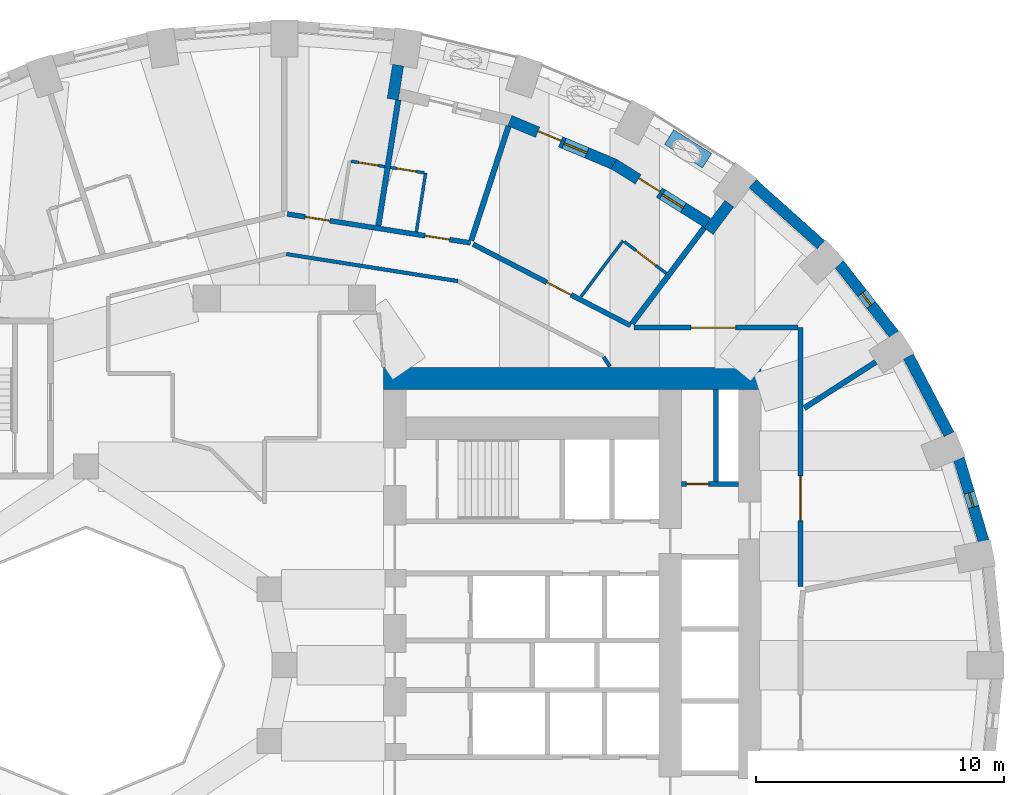
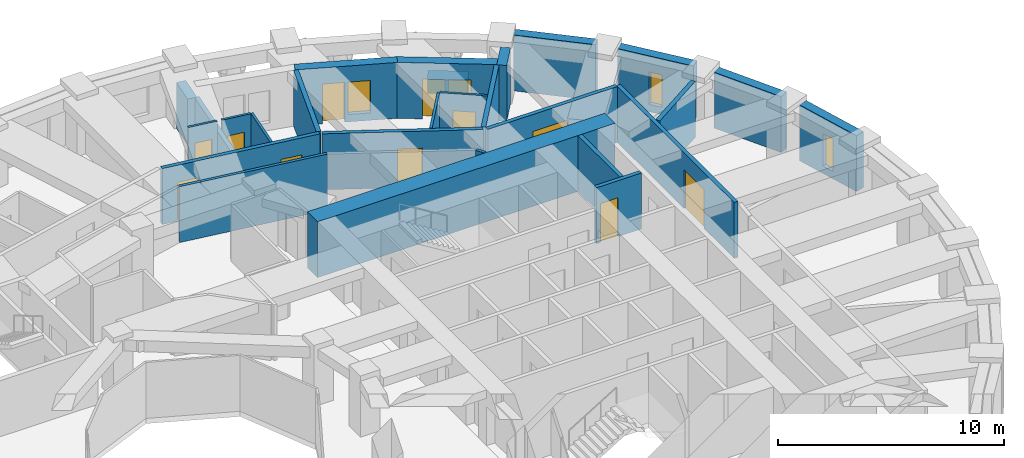
# One storey, part 9 of 13: 27 walls, 11 doors, 4 windows, 15 openings.
"""IFC4 building model written with IfcOpenShell, lengths in metres."""

from ifc_helpers import new_model, si_unit, direction, frame, frame_2d, origin, place, context, subcontext, project, spatial, rectangle, extrude, material, layer, layer_set, constituent, constituent_set, type_object, element, fill, save


model = new_model("IFC4")

# Units and contexts
model_context = context("Model", 3, precision=1e-05, world=origin(), true_north=direction((0.0, 1.0)))
body_context = subcontext(model_context, "Body", "Model", "MODEL_VIEW")
ifc_project = project(units=[si_unit("LENGTHUNIT", "METRE"), si_unit("AREAUNIT", "SQUARE_METRE"), si_unit("VOLUMEUNIT", "CUBIC_METRE"), si_unit("PLANEANGLEUNIT", "RADIAN"), si_unit("MASSUNIT", "GRAM", prefix="KILO")], contexts=[model_context])

# Site, building, storey
site_placement = place(None, origin())
site = spatial("IfcSite", under=ifc_project, at=site_placement, CompositionType="ELEMENT")
building_placement = place(site_placement, origin())
building = spatial("IfcBuilding", under=site, at=building_placement, Name="Taillehof Tower", CompositionType="ELEMENT")
storey_placement = place(building_placement, frame((0.0, 0.0, 61.300048828125)))
storey = spatial("IfcBuildingStorey", under=building, at=storey_placement, Name="L16", CompositionType="ELEMENT", Elevation=61.300048828125)

# Wall, opening, window
ifc_material_1 = material(Name="Brick masonry", Category="masonry")
ifc_layer_1 = layer(ifc_material_1, 0.449951171875)
ifc_layer_set_1 = layer_set([ifc_layer_1], Name="Brick infill wall 450")
wall_type_1 = type_object("IfcWallType", Name="Brick infill wall 450", PredefinedType="SOLIDWALL", material=ifc_layer_set_1)
wall_1_placement = place(storey_placement, frame((28.181884765625, 4.995849609375, 0.0), z_axis=(0.0, 0.0, 1.0), x_axis=(-0.287064133733, 0.957911364963, 0.0)))
wall_1 = element("IfcWall", 1, at=wall_1_placement, inside=storey, type_object=wall_type_1, Name="Brick wall L16 bay 2", PredefinedType="SOLIDWALL", context=body_context, shape_type="SweptSolid", body=[
    extrude(rectangle(XDim=3.473388671875, YDim=0.449951171875, at=frame_2d((1.73681640625, 0.0))), origin(), (0.0, 0.0, 1.0), 3.02001953125),
])
opening_1_placement = place(wall_1_placement, frame((1.436767578125, 0.0, 0.39990234375)))
opening_1 = element("IfcOpeningElement", 2, at=opening_1_placement, cuts=wall_1, Name="Opening W6", PredefinedType="OPENING", context=body_context, shape_type="SweptSolid", body=[
    extrude(rectangle(XDim=0.60009765625, YDim=1.75, at=frame_2d((0.300048828125, 0.875))), frame((0.0, 0.23486328125, 0.0), z_axis=(0.0, -1.0, 0.0), x_axis=(1.0, 0.0, 0.0)), (0.0, 0.0, 1.0), 0.469970703125),
])
ifc_material_2 = material(Name="Aluminium window frame with clear double glazing", Category="aluminium")
window_type_1 = type_object("IfcWindowType", Name="Slot window 600x1750", PartitioningType="SINGLE_PANEL", PredefinedType="WINDOW", material=ifc_material_2)
window_1_placement = place(opening_1_placement, origin())
window_1 = element("IfcWindow", 3, at=window_1_placement, inside=storey, type_object=window_type_1, Name="W6", OverallHeight=1.75, OverallWidth=0.60009765625, PartitioningType="SINGLE_PANEL", PredefinedType="WINDOW", context=body_context, shape_type="SweptSolid", body=[
    extrude(rectangle(XDim=0.60009765625, YDim=1.75, at=frame_2d((0.300048828125, 0.875))), frame((0.0, 0.034912109375, 0.0), z_axis=(0.0, -1.0, 0.0), x_axis=(1.0, 0.0, 0.0)), (0.0, 0.0, 1.0), 0.06005859375),
])
fill(opening_1, window_1)

# Wall
wall_2_placement = place(storey_placement, frame((26.78564453125, 9.30517578125, 0.0), z_axis=(0.0, 0.0, 1.0), x_axis=(-0.462492775226, 0.886623050041, 0.0)))
element("IfcWall", 4, at=wall_2_placement, inside=storey, type_object=wall_type_1, Name="Brick wall L16 bay 3", PredefinedType="SOLIDWALL", context=body_context, shape_type="SweptSolid", body=[
    extrude(rectangle(XDim=3.531982421875, YDim=0.449951171875, at=frame_2d((1.76611328125, 0.0))), origin(), (0.0, 0.0, 1.0), 3.02001953125),
])

# Wall, opening, window
wall_3_placement = place(storey_placement, frame((24.57763671875, 13.327880859375, 0.0), z_axis=(0.0, 0.0, 1.0), x_axis=(-0.616661975264, 0.787228053529, 0.0)))
wall_3 = element("IfcWall", 5, at=wall_3_placement, inside=storey, type_object=wall_type_1, Name="Brick wall L16 bay 4", PredefinedType="SOLIDWALL", context=body_context, shape_type="SweptSolid", body=[
    extrude(rectangle(XDim=3.60986328125, YDim=0.449951171875, at=frame_2d((1.804931640625, 0.0))), origin(), (0.0, 0.0, 1.0), 3.02001953125),
])
opening_2_placement = place(wall_3_placement, frame((1.5048828125, 0.0, 0.39990234375)))
opening_2 = element("IfcOpeningElement", 6, at=opening_2_placement, cuts=wall_3, Name="Opening W6", PredefinedType="OPENING", context=body_context, shape_type="SweptSolid", body=[
    extrude(rectangle(XDim=0.60009765625, YDim=1.75, at=frame_2d((0.300048828125, 0.875))), frame((0.0, 0.23486328125, 0.0), z_axis=(0.0, -1.0, 0.0), x_axis=(1.0, 0.0, 0.0)), (0.0, 0.0, 1.0), 0.469970703125),
])
window_2_placement = place(opening_2_placement, origin())
window_2 = element("IfcWindow", 7, at=window_2_placement, inside=storey, type_object=window_type_1, Name="W6", OverallHeight=1.75, OverallWidth=0.60009765625, PartitioningType="SINGLE_PANEL", PredefinedType="WINDOW", context=body_context, shape_type="SweptSolid", body=[
    extrude(rectangle(XDim=0.60009765625, YDim=1.75, at=frame_2d((0.300048828125, 0.875))), frame((0.0, 0.034912109375, 0.0), z_axis=(0.0, -1.0, 0.0), x_axis=(1.0, 0.0, 0.0)), (0.0, 0.0, 1.0), 0.06005859375),
])
fill(opening_2, window_2)

# Walls
wall_4_placement = place(storey_placement, frame((21.626708984375, 16.943115234375, 0.0), z_axis=(0.0, 0.0, 1.0), x_axis=(-0.745526233716, 0.66647628228, 0.0)))
element("IfcWall", 8, at=wall_4_placement, inside=storey, type_object=wall_type_1, Name="Brick wall L16 bay 5", PredefinedType="SOLIDWALL", context=body_context, shape_type="SweptSolid", body=[
    extrude(rectangle(XDim=3.69677734375, YDim=0.449951171875, at=frame_2d((1.848388671875, 0.0))), origin(), (0.0, 0.0, 1.0), 3.02001953125),
])
wall_5_placement = place(storey_placement, frame((17.931640625, 18.60009765625, 0.0), z_axis=(0.0, 0.0, 1.0), x_axis=(-0.601262851241, -0.799051302306, 0.0)))
element("IfcWall", 9, at=wall_5_placement, inside=storey, type_object=wall_type_1, Name="Brick reveal L16 pocket 1", PredefinedType="SOLIDWALL", context=body_context, shape_type="SweptSolid", body=[
    extrude(rectangle(XDim=1.39111328125, YDim=0.449951171875, at=frame_2d((0.695556640625, 0.0))), origin(), (0.0, 0.0, 1.0), 3.02001953125),
])
wall_6_placement = place(storey_placement, frame((4.58251953125, 24.178466796875, 0.0), z_axis=(0.0, 0.0, 1.0), x_axis=(-0.156133927791, -0.98773589415, 0.0)))
element("IfcWall", 10, at=wall_6_placement, inside=storey, type_object=wall_type_1, Name="Brick reveal L16 pocket 1", PredefinedType="SOLIDWALL", context=body_context, shape_type="SweptSolid", body=[
    extrude(rectangle(XDim=1.39013671875, YDim=0.449951171875, at=frame_2d((0.695068359375, 0.0))), origin(), (0.0, 0.0, 1.0), 2.469970703125),
])

# Wall, openings, door, window
wall_7_placement = place(storey_placement, frame((17.062255859375, 17.81884765625, 0.0), z_axis=(0.0, 0.0, 1.0), x_axis=(-0.846990101364, 0.531608660757, 0.0)))
wall_7 = element("IfcWall", 11, at=wall_7_placement, inside=storey, type_object=wall_type_1, Name="Brick wall L16 pocket bay 6", PredefinedType="SOLIDWALL", context=body_context, shape_type="SweptSolid", body=[
    extrude(rectangle(XDim=4.468994140625, YDim=0.449951171875, at=frame_2d((2.234375, 0.0))), origin(), (0.0, 0.0, 1.0), 3.02001953125),
])
opening_3_placement = place(wall_7_placement, frame((1.159423828125, 0.0, 0.39990234375)))
opening_3 = element("IfcOpeningElement", 12, at=opening_3_placement, cuts=wall_7, Name="Opening W5", PredefinedType="OPENING", context=body_context, shape_type="SweptSolid", body=[
    extrude(rectangle(XDim=1.0, YDim=1.75, at=frame_2d((0.5, 0.875))), frame((0.0, 0.23486328125, 0.0), z_axis=(0.0, -1.0, 0.0), x_axis=(1.0, 0.0, 0.0)), (0.0, 0.0, 1.0), 0.469970703125),
])
opening_4_placement = place(wall_7_placement, frame((2.3095703125, 0.0, 0.0)))
opening_4 = element("IfcOpeningElement", 13, at=opening_4_placement, cuts=wall_7, Name="Opening D1694", PredefinedType="OPENING", context=body_context, shape_type="SweptSolid", body=[
    extrude(rectangle(XDim=1.0, YDim=2.14990234375, at=frame_2d((0.5, 1.074951171875))), frame((0.0, 0.23486328125, 0.0), z_axis=(0.0, -1.0, 0.0), x_axis=(1.0, 0.0, 0.0)), (0.0, 0.0, 1.0), 0.469970703125),
])
ifc_material_3 = material(Name="Aluminium door frame with clear double glazing", Category="aluminium")
door_type_1 = type_object("IfcDoorType", Name="Balcony door 1000x2150", OperationType="SINGLE_SWING_RIGHT", PredefinedType="DOOR", material=ifc_material_3)
door_1_placement = place(opening_4_placement, frame((1.0, 0.0, 0.0), z_axis=(0.0, 0.0, 1.0), x_axis=(-1.0, 0.0, 0.0)))
door_1 = element("IfcDoor", 14, at=door_1_placement, inside=storey, type_object=door_type_1, Name="Balcony door L16 bay 6", OperationType="SINGLE_SWING_RIGHT", OverallHeight=2.14990234375, OverallWidth=1.0, PredefinedType="DOOR", context=body_context, shape_type="SweptSolid", body=[
    extrude(rectangle(XDim=1.0, YDim=2.14990234375, at=frame_2d((0.5, 1.074951171875))), frame((0.0, 0.0751953125, 0.0), z_axis=(0.0, -1.0, 0.0), x_axis=(1.0, 0.0, 0.0)), (0.0, 0.0, 1.0), 0.050048828125),
])
fill(opening_4, door_1)
ifc_material_4 = material(Name="Aluminium window frame with clear double glazing", Category="aluminium")
window_type_2 = type_object("IfcWindowType", Name="Fixed window 1000x1750", PartitioningType="SINGLE_PANEL", PredefinedType="WINDOW", material=ifc_material_4)
window_3_placement = place(opening_3_placement, origin())
window_3 = element("IfcWindow", 15, at=window_3_placement, inside=storey, type_object=window_type_2, Name="W5", OverallHeight=1.75, OverallWidth=1.0, PartitioningType="SINGLE_PANEL", PredefinedType="WINDOW", context=body_context, shape_type="SweptSolid", body=[
    extrude(rectangle(XDim=1.0, YDim=1.75, at=frame_2d((0.5, 0.875))), frame((0.0, 0.034912109375, 0.0), z_axis=(0.0, -1.0, 0.0), x_axis=(1.0, 0.0, 0.0)), (0.0, 0.0, 1.0), 0.06005859375),
])
fill(opening_3, window_3)

wall_8_placement = place(storey_placement, frame((13.31005859375, 20.177734375, 0.0), z_axis=(0.0, 0.0, 1.0), x_axis=(-0.922634412489, 0.385675693935, 0.0)))
wall_8 = element("IfcWall", 16, at=wall_8_placement, inside=storey, type_object=wall_type_1, Name="Brick wall L16 pocket bay 7", PredefinedType="SOLIDWALL", context=body_context, shape_type="SweptSolid", body=[
    extrude(rectangle(XDim=4.57666015625, YDim=0.449951171875, at=frame_2d((2.288330078125, 0.0))), origin(), (0.0, 0.0, 1.0), 3.02001953125),
])
opening_5_placement = place(wall_8_placement, frame((1.21337890625, 0.0, 0.39990234375)))
opening_5 = element("IfcOpeningElement", 17, at=opening_5_placement, cuts=wall_8, Name="Opening W5", PredefinedType="OPENING", context=body_context, shape_type="SweptSolid", body=[
    extrude(rectangle(XDim=1.0, YDim=1.75, at=frame_2d((0.5, 0.875))), frame((0.0, 0.23486328125, 0.0), z_axis=(0.0, -1.0, 0.0), x_axis=(1.0, 0.0, 0.0)), (0.0, 0.0, 1.0), 0.469970703125),
])
opening_6_placement = place(wall_8_placement, frame((2.36328125, 0.0, 0.0)))
opening_6 = element("IfcOpeningElement", 18, at=opening_6_placement, cuts=wall_8, Name="Opening D1695", PredefinedType="OPENING", context=body_context, shape_type="SweptSolid", body=[
    extrude(rectangle(XDim=1.0, YDim=2.14990234375, at=frame_2d((0.5, 1.074951171875))), frame((0.0, 0.23486328125, 0.0), z_axis=(0.0, -1.0, 0.0), x_axis=(1.0, 0.0, 0.0)), (0.0, 0.0, 1.0), 0.469970703125),
])
door_2_placement = place(opening_6_placement, frame((1.0, 0.0, 0.0), z_axis=(0.0, 0.0, 1.0), x_axis=(-1.0, 0.0, 0.0)))
door_2 = element("IfcDoor", 19, at=door_2_placement, inside=storey, type_object=door_type_1, Name="Balcony door L16 bay 7", OperationType="SINGLE_SWING_LEFT", OverallHeight=2.14990234375, OverallWidth=1.0, PredefinedType="DOOR", context=body_context, shape_type="SweptSolid", body=[
    extrude(rectangle(XDim=1.0, YDim=2.14990234375, at=frame_2d((0.5, 1.074951171875))), frame((0.0, 0.0751953125, 0.0), z_axis=(0.0, -1.0, 0.0), x_axis=(1.0, 0.0, 0.0)), (0.0, 0.0, 1.0), 0.050048828125),
])
fill(opening_6, door_2)
window_4_placement = place(opening_5_placement, origin())
window_4 = element("IfcWindow", 20, at=window_4_placement, inside=storey, type_object=window_type_2, Name="W5", OverallHeight=1.75, OverallWidth=1.0, PartitioningType="SINGLE_PANEL", PredefinedType="WINDOW", context=body_context, shape_type="SweptSolid", body=[
    extrude(rectangle(XDim=1.0, YDim=1.75, at=frame_2d((0.5, 0.875))), frame((0.0, 0.034912109375, 0.0), z_axis=(0.0, -1.0, 0.0), x_axis=(1.0, 0.0, 0.0)), (0.0, 0.0, 1.0), 0.06005859375),
])
fill(opening_5, window_4)

# Wall, opening, door
ifc_material_5 = material(Name="Calcium silicate masonry", Category="masonry")
ifc_layer_2 = layer(ifc_material_5, 0.199951171875)
ifc_layer_set_2 = layer_set([ifc_layer_2], Name="Compartment wall calcium silicate 200")
wall_type_2 = type_object("IfcWallType", Name="Compartment wall calcium silicate 200", PredefinedType="PARTITIONING", material=ifc_layer_set_2)
wall_9_placement = place(storey_placement, frame((16.0, 7.300048828125, 0.0), z_axis=(0.0, 0.0, 1.0), x_axis=(1.0, 0.0, 0.0)))
wall_9 = element("IfcWall", 21, at=wall_9_placement, inside=storey, type_object=wall_type_2, Name="Compartment wall FW", PredefinedType="PARTITIONING", context=body_context, shape_type="SweptSolid", body=[
    extrude(rectangle(XDim=2.300048828125, YDim=0.199951171875, at=frame_2d((1.14990234375, 0.0))), origin(), (0.0, 0.0, 1.0), 3.02001953125),
])
opening_7_placement = place(wall_9_placement, frame((0.199951171875, 0.0, 0.0)))
opening_7 = element("IfcOpeningElement", 22, at=opening_7_placement, cuts=wall_9, Name="Opening D1616", PredefinedType="OPENING", context=body_context, shape_type="SweptSolid", body=[
    extrude(rectangle(XDim=0.89990234375, YDim=2.10009765625, at=frame_2d((0.449951171875, 1.050048828125))), frame((0.0, 0.10986328125, 0.0), z_axis=(0.0, -1.0, 0.0), x_axis=(1.0, 0.0, 0.0)), (0.0, 0.0, 1.0), 0.219970703125),
])
ifc_material_6 = material(Name="Steel-faced fire door", Category="steel")
door_type_2 = type_object("IfcDoorType", Name="Riser and service room door 900x2100", OperationType="SINGLE_SWING_LEFT", PredefinedType="DOOR", material=ifc_material_6)
door_3_placement = place(opening_7_placement, origin())
door_3 = element("IfcDoor", 23, at=door_3_placement, inside=storey, type_object=door_type_2, Name="Door Bms Room", OperationType="SINGLE_SWING_RIGHT", OverallHeight=2.10009765625, OverallWidth=0.89990234375, PredefinedType="DOOR", context=body_context, shape_type="SweptSolid", body=[
    extrude(rectangle(XDim=0.89990234375, YDim=2.10009765625, at=frame_2d((0.449951171875, 1.050048828125))), frame((0.0, 0.02490234375, 0.0), z_axis=(0.0, -1.0, 0.0), x_axis=(1.0, 0.0, 0.0)), (0.0, 0.0, 1.0), 0.050048828125),
])
fill(opening_7, door_3)

# Wall
wall_10_placement = place(storey_placement, frame((17.39990234375, 7.39990234375, 0.0), z_axis=(0.0, 0.0, 1.0), x_axis=(0.0, 1.0, 0.0)))
element("IfcWall", 24, at=wall_10_placement, inside=storey, type_object=wall_type_2, Name="Compartment wall FW", PredefinedType="PARTITIONING", context=body_context, shape_type="SweptSolid", body=[
    extrude(rectangle(XDim=3.7001953125, YDim=0.199951171875, at=frame_2d((1.85009765625, 0.0))), origin(), (0.0, 0.0, 1.0), 3.02001953125),
])

# Wall, opening, door
ifc_material_7 = material(Name="Gypsum board on steel studs, two layers each side", Category="steel")
ifc_layer_3 = layer(ifc_material_7, 0.199951171875)
ifc_layer_set_3 = layer_set([ifc_layer_3], Name="Compartment wall corridor 200")
wall_type_3 = type_object("IfcWallType", Name="Compartment wall corridor 200", PredefinedType="PARTITIONING", material=ifc_layer_set_3)
wall_11_placement = place(storey_placement, frame((20.800048828125, 13.60009765625, 0.0), z_axis=(0.0, 0.0, 1.0), x_axis=(0.0, -1.0, 0.0)))
wall_11 = element("IfcWall", 25, at=wall_11_placement, inside=storey, type_object=wall_type_3, Name="Compartment wall", PredefinedType="PARTITIONING", context=body_context, shape_type="SweptSolid", body=[
    extrude(rectangle(XDim=10.427734375, YDim=0.199951171875, at=frame_2d((5.2138671875, 0.0))), origin(), (0.0, 0.0, 1.0), 3.02001953125),
])
opening_8_placement = place(wall_11_placement, frame((5.9755859375, 0.0, 0.0)))
opening_8 = element("IfcOpeningElement", 26, at=opening_8_placement, cuts=wall_11, Name="Opening D1677", PredefinedType="OPENING", context=body_context, shape_type="SweptSolid", body=[
    extrude(rectangle(XDim=1.800048828125, YDim=2.10009765625, at=frame_2d((0.89990234375, 1.050048828125))), frame((0.0, 0.10986328125, 0.0), z_axis=(0.0, -1.0, 0.0), x_axis=(1.0, 0.0, 0.0)), (0.0, 0.0, 1.0), 0.219970703125),
])
ifc_material_8 = material(Name="Timber door leaf in steel frame", Category="steel")
door_type_3 = type_object("IfcDoorType", Name="Lounge and meeting room double door EI 30 1800 x 2100", OperationType="SINGLE_SWING_LEFT", PredefinedType="DOOR", material=ifc_material_8)
door_4_placement = place(opening_8_placement, origin())
door_4 = element("IfcDoor", 27, at=door_4_placement, inside=storey, type_object=door_type_3, Name="D1677", OperationType="DOUBLE_DOOR_SINGLE_SWING", OverallHeight=2.10009765625, OverallWidth=1.800048828125, PredefinedType="DOOR", context=body_context, shape_type="SweptSolid", body=[
    extrude(rectangle(XDim=1.800048828125, YDim=2.10009765625, at=frame_2d((0.89990234375, 1.050048828125))), frame((0.0, 0.02490234375, 0.0), z_axis=(0.0, -1.0, 0.0), x_axis=(1.0, 0.0, 0.0)), (0.0, 0.0, 1.0), 0.050048828125),
])
fill(opening_8, door_4)

# Wall, openings, doors
wall_12_placement = place(storey_placement, frame((0.11865234375, 18.180908203125, 0.0), z_axis=(0.0, 0.0, 1.0), x_axis=(0.987788122462, -0.155803161464, 0.0)))
wall_12 = element("IfcWall", 28, at=wall_12_placement, inside=storey, type_object=wall_type_3, Name="Compartment wall", PredefinedType="PARTITIONING", context=body_context, shape_type="SweptSolid", body=[
    extrude(rectangle(XDim=7.471435546875, YDim=0.199951171875, at=frame_2d((3.73583984375, 0.0))), origin(), (0.0, 0.0, 1.0), 3.02001953125),
])
opening_9_placement = place(wall_12_placement, frame((5.61865234375, 0.0, 0.0)))
opening_9 = element("IfcOpeningElement", 29, at=opening_9_placement, cuts=wall_12, Name="Opening D1642", PredefinedType="OPENING", context=body_context, shape_type="SweptSolid", body=[
    extrude(rectangle(XDim=1.0, YDim=2.10009765625, at=frame_2d((0.5, 1.050048828125))), frame((0.0, 0.10986328125, 0.0), z_axis=(0.0, -1.0, 0.0), x_axis=(1.0, 0.0, 0.0)), (0.0, 0.0, 1.0), 0.219970703125),
])
opening_10_placement = place(wall_12_placement, frame((0.731689453125, 0.0, 0.0)))
opening_10 = element("IfcOpeningElement", 30, at=opening_10_placement, cuts=wall_12, Name="Opening D1644", PredefinedType="OPENING", context=body_context, shape_type="SweptSolid", body=[
    extrude(rectangle(XDim=1.0, YDim=2.10009765625, at=frame_2d((0.5, 1.050048828125))), frame((0.0, 0.10986328125, 0.0), z_axis=(0.0, -1.0, 0.0), x_axis=(1.0, 0.0, 0.0)), (0.0, 0.0, 1.0), 0.219970703125),
])
ifc_material_9 = material(Name="Timber door leaf in steel frame", Category="steel")
door_type_4 = type_object("IfcDoorType", Name="Guest room door EI 30 1000 x 2100", OperationType="SINGLE_SWING_LEFT", PredefinedType="DOOR", material=ifc_material_9)
door_5_placement = place(opening_9_placement, origin())
door_5 = element("IfcDoor", 31, at=door_5_placement, inside=storey, type_object=door_type_4, Name="D1642", OperationType="SINGLE_SWING_LEFT", OverallHeight=2.10009765625, OverallWidth=1.0, PredefinedType="DOOR", context=body_context, shape_type="SweptSolid", body=[
    extrude(rectangle(XDim=1.0, YDim=2.10009765625, at=frame_2d((0.5, 1.050048828125))), frame((0.0, 0.02490234375, 0.0), z_axis=(0.0, -1.0, 0.0), x_axis=(1.0, 0.0, 0.0)), (0.0, 0.0, 1.0), 0.050048828125),
])
fill(opening_9, door_5)
door_6_placement = place(opening_10_placement, origin())
door_6 = element("IfcDoor", 32, at=door_6_placement, inside=storey, type_object=door_type_4, Name="D1644", OperationType="SINGLE_SWING_RIGHT", OverallHeight=2.10009765625, OverallWidth=1.0, PredefinedType="DOOR", context=body_context, shape_type="SweptSolid", body=[
    extrude(rectangle(XDim=1.0, YDim=2.10009765625, at=frame_2d((0.5, 1.050048828125))), frame((0.0, 0.02490234375, 0.0), z_axis=(0.0, -1.0, 0.0), x_axis=(1.0, 0.0, 0.0)), (0.0, 0.0, 1.0), 0.050048828125),
])
fill(opening_10, door_6)

# Wall, opening, door
wall_13_placement = place(storey_placement, frame((7.605712890625, 16.961181640625, 0.0), z_axis=(0.0, 0.0, 1.0), x_axis=(0.888519518851, -0.45883882205, 0.0)))
wall_13 = element("IfcWall", 33, at=wall_13_placement, inside=storey, type_object=wall_type_3, Name="Compartment wall", PredefinedType="PARTITIONING", context=body_context, shape_type="SweptSolid", body=[
    extrude(rectangle(XDim=7.14208984375, YDim=0.199951171875, at=frame_2d((3.571044921875, 0.0))), origin(), (0.0, 0.0, 1.0), 3.02001953125),
])
opening_11_placement = place(wall_13_placement, frame((3.342041015625, 0.0, 0.0)))
opening_11 = element("IfcOpeningElement", 34, at=opening_11_placement, cuts=wall_13, Name="Opening D1640", PredefinedType="OPENING", context=body_context, shape_type="SweptSolid", body=[
    extrude(rectangle(XDim=1.10009765625, YDim=2.10009765625, at=frame_2d((0.550048828125, 1.050048828125))), frame((0.0, 0.10986328125, 0.0), z_axis=(0.0, -1.0, 0.0), x_axis=(1.0, 0.0, 0.0)), (0.0, 0.0, 1.0), 0.219970703125),
])
ifc_material_10 = material(Name="Timber door leaf in steel frame", Category="steel")
door_type_5 = type_object("IfcDoorType", Name="Accessible guest room door EI 30 1100 x 2100", OperationType="SINGLE_SWING_LEFT", PredefinedType="DOOR", material=ifc_material_10)
door_7_placement = place(opening_11_placement, origin())
door_7 = element("IfcDoor", 35, at=door_7_placement, inside=storey, type_object=door_type_5, Name="D1640", OperationType="SINGLE_SWING_RIGHT", OverallHeight=2.10009765625, OverallWidth=1.10009765625, PredefinedType="DOOR", context=body_context, shape_type="SweptSolid", body=[
    extrude(rectangle(XDim=1.10009765625, YDim=2.10009765625, at=frame_2d((0.550048828125, 1.050048828125))), frame((0.0, 0.02490234375, 0.0), z_axis=(0.0, -1.0, 0.0), x_axis=(1.0, 0.0, 0.0)), (0.0, 0.0, 1.0), 0.050048828125),
])
fill(opening_11, door_7)

wall_14_placement = place(storey_placement, frame((14.08642578125, 13.60009765625, 0.0), z_axis=(0.0, 0.0, 1.0), x_axis=(1.0, 0.0, 0.0)))
wall_14 = element("IfcWall", 36, at=wall_14_placement, inside=storey, type_object=wall_type_3, Name="Compartment wall", PredefinedType="PARTITIONING", context=body_context, shape_type="SweptSolid", body=[
    extrude(rectangle(XDim=6.613525390625, YDim=0.199951171875, at=frame_2d((3.306640625, 0.0))), origin(), (0.0, 0.0, 1.0), 3.02001953125),
])
opening_12_placement = place(wall_14_placement, frame((2.302734375, 0.0, 0.0)))
opening_12 = element("IfcOpeningElement", 37, at=opening_12_placement, cuts=wall_14, Name="Opening D1678", PredefinedType="OPENING", context=body_context, shape_type="SweptSolid", body=[
    extrude(rectangle(XDim=1.800048828125, YDim=2.10009765625, at=frame_2d((0.89990234375, 1.050048828125))), frame((0.0, 0.10986328125, 0.0), z_axis=(0.0, -1.0, 0.0), x_axis=(1.0, 0.0, 0.0)), (0.0, 0.0, 1.0), 0.219970703125),
])
door_8_placement = place(opening_12_placement, origin())
door_8 = element("IfcDoor", 38, at=door_8_placement, inside=storey, type_object=door_type_3, Name="D1678", OperationType="DOUBLE_DOOR_SINGLE_SWING", OverallHeight=2.10009765625, OverallWidth=1.800048828125, PredefinedType="DOOR", context=body_context, shape_type="SweptSolid", body=[
    extrude(rectangle(XDim=1.800048828125, YDim=2.10009765625, at=frame_2d((0.89990234375, 1.050048828125))), frame((0.0, 0.02490234375, 0.0), z_axis=(0.0, -1.0, 0.0), x_axis=(1.0, 0.0, 0.0)), (0.0, 0.0, 1.0), 0.050048828125),
])
fill(opening_12, door_8)

# Walls
ifc_material_11 = material(Name="Gypsum board on double steel studs with mineral wool", Category="steel")
ifc_layer_4 = layer(ifc_material_11, 0.219970703125)
ifc_layer_set_4 = layer_set([ifc_layer_4], Name="Compartment wall guest room 220")
wall_type_4 = type_object("IfcWallType", Name="Compartment wall guest room 220", PredefinedType="PARTITIONING", material=ifc_layer_set_4)
wall_15_placement = place(storey_placement, frame((23.834716796875, 12.218994140625, 0.0), z_axis=(0.0, 0.0, 1.0), x_axis=(-0.840694872373, -0.541509124176, 0.0)))
element("IfcWall", 39, at=wall_15_placement, inside=storey, type_object=wall_type_4, Name="Compartment wall", PredefinedType="PARTITIONING", context=body_context, shape_type="SweptSolid", body=[
    extrude(rectangle(XDim=3.430419921875, YDim=0.219970703125, at=frame_2d((1.71533203125, 0.0))), origin(), (0.0, 0.0, 1.0), 3.02001953125),
])
wall_16_placement = place(storey_placement, frame((16.926513671875, 17.638427734375, 0.0), z_axis=(0.0, 0.0, 1.0), x_axis=(-0.601159395391, -0.799129139334, 0.0)))
element("IfcWall", 40, at=wall_16_placement, inside=storey, type_object=wall_type_4, Name="Compartment wall", PredefinedType="PARTITIONING", context=body_context, shape_type="SweptSolid", body=[
    extrude(rectangle(XDim=4.84912109375, YDim=0.219970703125, at=frame_2d((2.424560546875, 0.0))), origin(), (0.0, 0.0, 1.0), 3.02001953125),
])
wall_17_placement = place(storey_placement, frame((9.033935546875, 21.72119140625, 0.0), z_axis=(0.0, 0.0, 1.0), x_axis=(-0.310330277344, -0.95062880188, 0.0)))
element("IfcWall", 41, at=wall_17_placement, inside=storey, type_object=wall_type_4, Name="Compartment wall", PredefinedType="PARTITIONING", context=body_context, shape_type="SweptSolid", body=[
    extrude(rectangle(XDim=4.848388671875, YDim=0.219970703125, at=frame_2d((2.42431640625, 0.0))), origin(), (0.0, 0.0, 1.0), 3.02001953125),
])
wall_18_placement = place(storey_placement, frame((4.590576171875, 22.78857421875, 0.0), z_axis=(0.0, 0.0, 1.0), x_axis=(-0.156172011014, -0.987729873486, 0.0)))
element("IfcWall", 42, at=wall_18_placement, inside=storey, type_object=wall_type_4, Name="Compartment wall", PredefinedType="PARTITIONING", context=body_context, shape_type="SweptSolid", body=[
    extrude(rectangle(XDim=5.14794921875, YDim=0.219970703125, at=frame_2d((2.573974609375, 0.0))), origin(), (0.0, 0.0, 1.0), 2.469970703125),
])
ifc_material_12 = material(Name="Gypsum board on steel studs, two layers each side", Category="steel")
ifc_layer_5 = layer(ifc_material_12, 0.14990234375)
ifc_layer_set_5 = layer_set([ifc_layer_5], Name="Compartment wall service room 150")
wall_type_5 = type_object("IfcWallType", Name="Compartment wall service room 150", PredefinedType="PARTITIONING", material=ifc_layer_set_5)
wall_19_placement = place(storey_placement, frame((0.08349609375, 16.56689453125, 0.0), z_axis=(0.0, 0.0, 1.0), x_axis=(0.987781067139, -0.15584788546, 0.0)))
element("IfcWall", 43, at=wall_19_placement, inside=storey, type_object=wall_type_5, Name="Compartment wall", PredefinedType="PARTITIONING", context=body_context, shape_type="SweptSolid", body=[
    extrude(rectangle(XDim=6.99609375, YDim=0.14990234375, at=frame_2d((3.498046875, 0.0))), origin(), (0.0, 0.0, 1.0), 3.02001953125),
])
wall_20_placement = place(storey_placement, frame((12.86376953125, 12.4228515625, 0.0), z_axis=(0.0, 0.0, 1.0), x_axis=(0.545733799108, -0.837958603101, 0.0)))
element("IfcWall", 44, at=wall_20_placement, inside=storey, type_object=wall_type_5, Name="Compartment wall", PredefinedType="PARTITIONING", context=body_context, shape_type="SweptSolid", body=[
    extrude(rectangle(XDim=0.46044921875, YDim=0.14990234375, at=frame_2d((0.230224609375, 0.0))), origin(), (0.0, 0.0, 1.0), 3.02001953125),
])
ifc_material_13 = material(Name="Concrete C80/95", Category="concrete")
ifc_layer_6 = layer(ifc_material_13, 0.89990234375)
ifc_layer_set_6 = layer_set([ifc_layer_6], Name="Core wall C80/95 900")
wall_type_6 = type_object("IfcWallType", Name="Core wall C80/95 900", PredefinedType="SHEAR", material=ifc_layer_set_6)
wall_21_placement = place(storey_placement, frame((4.0, 11.550048828125, 0.0), z_axis=(0.0, 0.0, 1.0), x_axis=(1.0, 0.0, 0.0)))
element("IfcWall", 45, at=wall_21_placement, inside=storey, type_object=wall_type_6, Name="Core wall CW03", PredefinedType="SHEAR", context=body_context, shape_type="SweptSolid", body=[
    extrude(rectangle(XDim=15.199951171875, YDim=0.89990234375, at=frame_2d((7.60009765625, 0.0))), origin(), (0.0, 0.0, 1.0), 3.02001953125),
])
ifc_material_14 = material(Name="Gypsum board on steel studs, moisture resistant", Category="steel")
ifc_layer_7 = layer(ifc_material_14, 0.1201171875)
ifc_layer_set_7 = layer_set([ifc_layer_7], Name="En-suite wall 120")
wall_type_7 = type_object("IfcWallType", Name="En-suite wall 120", PredefinedType="PARTITIONING", material=ifc_layer_set_7)
wall_22_placement = place(storey_placement, frame((11.951904296875, 14.8515625, 0.0), z_axis=(0.0, 0.0, 1.0), x_axis=(0.60115003842, 0.7991361782, 0.0)))
element("IfcWall", 46, at=wall_22_placement, inside=storey, type_object=wall_type_7, Name="En-suite wall", PredefinedType="PARTITIONING", context=body_context, shape_type="SweptSolid", body=[
    extrude(rectangle(XDim=2.817626953125, YDim=0.1201171875, at=frame_2d((1.40869140625, 0.0))), origin(), (0.0, 0.0, 1.0), 3.02001953125),
])
wall_23_placement = place(storey_placement, frame((5.31787109375, 17.462158203125, 0.0), z_axis=(0.0, 0.0, 1.0), x_axis=(0.156077517275, 0.987744809453, 0.0)))
element("IfcWall", 47, at=wall_23_placement, inside=storey, type_object=wall_type_7, Name="En-suite wall", PredefinedType="PARTITIONING", context=body_context, shape_type="SweptSolid", body=[
    extrude(rectangle(XDim=2.3994140625, YDim=0.1201171875, at=frame_2d((1.19970703125, 0.0))), origin(), (0.0, 0.0, 1.0), 3.02001953125),
])

# Wall, opening, door
wall_24_placement = place(storey_placement, frame((13.693603515625, 17.067138671875, 0.0), z_axis=(0.0, 0.0, 1.0), x_axis=(0.799118870394, -0.601173045786, 0.0)))
wall_24 = element("IfcWall", 48, at=wall_24_placement, inside=storey, type_object=wall_type_7, Name="En-suite wall", PredefinedType="PARTITIONING", context=body_context, shape_type="SweptSolid", body=[
    extrude(rectangle(XDim=2.130126953125, YDim=0.1201171875, at=frame_2d((1.06494140625, 0.0))), origin(), (0.0, 0.0, 1.0), 3.02001953125),
])
opening_13_placement = place(wall_24_placement, frame((0.590087890625, 0.0, 0.0)))
opening_13 = element("IfcOpeningElement", 49, at=opening_13_placement, cuts=wall_24, Name="Opening D1641", PredefinedType="OPENING", context=body_context, shape_type="SweptSolid", body=[
    extrude(rectangle(XDim=1.0, YDim=2.10009765625, at=frame_2d((0.5, 1.050048828125))), frame((0.0, 0.070068359375, 0.0), z_axis=(0.0, -1.0, 0.0), x_axis=(1.0, 0.0, 0.0)), (0.0, 0.0, 1.0), 0.14013671875),
])
ifc_material_15 = material(Name="Timber door leaf in steel frame", Category="steel")
door_type_6 = type_object("IfcDoorType", Name="Accessible en-suite door 1000 x 2100", OperationType="SINGLE_SWING_LEFT", PredefinedType="DOOR", material=ifc_material_15)
door_9_placement = place(opening_13_placement, origin())
door_9 = element("IfcDoor", 50, at=door_9_placement, inside=storey, type_object=door_type_6, Name="D1641", OperationType="SINGLE_SWING_RIGHT", OverallHeight=2.10009765625, OverallWidth=1.0, PredefinedType="DOOR", context=body_context, shape_type="SweptSolid", body=[
    extrude(rectangle(XDim=1.0, YDim=2.10009765625, at=frame_2d((0.5, 1.050048828125))), frame((0.0, 0.02490234375, 0.0), z_axis=(0.0, -1.0, 0.0), x_axis=(1.0, 0.0, 0.0)), (0.0, 0.0, 1.0), 0.050048828125),
])
fill(opening_13, door_9)

wall_25_placement = place(storey_placement, frame((5.633056640625, 19.841552734375, 0.0), z_axis=(0.0, 0.0, 1.0), x_axis=(-0.987722767831, 0.156216945011, 0.0)))
wall_25 = element("IfcWall", 51, at=wall_25_placement, inside=storey, type_object=wall_type_7, Name="En-suite wall", PredefinedType="PARTITIONING", context=body_context, shape_type="SweptSolid", body=[
    extrude(rectangle(XDim=1.3798828125, YDim=0.1201171875, at=frame_2d((0.68994140625, 0.0))), origin(), (0.0, 0.0, 1.0), 3.02001953125),
])
opening_14_placement = place(wall_25_placement, frame((0.31494140625, 0.0, 0.0)))
opening_14 = element("IfcOpeningElement", 52, at=opening_14_placement, cuts=wall_25, Name="Opening D1643", PredefinedType="OPENING", context=body_context, shape_type="SweptSolid", body=[
    extrude(rectangle(XDim=0.800048828125, YDim=2.10009765625, at=frame_2d((0.39990234375, 1.050048828125))), frame((0.0, 0.070068359375, 0.0), z_axis=(0.0, -1.0, 0.0), x_axis=(1.0, 0.0, 0.0)), (0.0, 0.0, 1.0), 0.14013671875),
])
ifc_material_16 = material(Name="Timber door leaf in steel frame", Category="steel")
door_type_7 = type_object("IfcDoorType", Name="En-suite door 800 x 2100", OperationType="SINGLE_SWING_LEFT", PredefinedType="DOOR", material=ifc_material_16)
door_10_placement = place(opening_14_placement, origin())
door_10 = element("IfcDoor", 53, at=door_10_placement, inside=storey, type_object=door_type_7, Name="D1643", OperationType="SINGLE_SWING_LEFT", OverallHeight=2.10009765625, OverallWidth=0.800048828125, PredefinedType="DOOR", context=body_context, shape_type="SweptSolid", body=[
    extrude(rectangle(XDim=0.800048828125, YDim=2.10009765625, at=frame_2d((0.39990234375, 1.050048828125))), frame((0.0, 0.02490234375, 0.0), z_axis=(0.0, -1.0, 0.0), x_axis=(1.0, 0.0, 0.0)), (0.0, 0.0, 1.0), 0.050048828125),
])
fill(opening_14, door_10)

wall_26_placement = place(storey_placement, frame((2.689697265625, 20.30712890625, 0.0), z_axis=(0.0, 0.0, 1.0), x_axis=(0.987695455518, -0.156389536571, 0.0)))
wall_26 = element("IfcWall", 54, at=wall_26_placement, inside=storey, type_object=wall_type_7, Name="En-suite wall", PredefinedType="PARTITIONING", context=body_context, shape_type="SweptSolid", body=[
    extrude(rectangle(XDim=1.380126953125, YDim=0.1201171875, at=frame_2d((0.68994140625, 0.0))), origin(), (0.0, 0.0, 1.0), 3.02001953125),
])
opening_15_placement = place(wall_26_placement, frame((0.315185546875, 0.0, 0.0)))
opening_15 = element("IfcOpeningElement", 55, at=opening_15_placement, cuts=wall_26, Name="Opening D1645", PredefinedType="OPENING", context=body_context, shape_type="SweptSolid", body=[
    extrude(rectangle(XDim=0.800048828125, YDim=2.10009765625, at=frame_2d((0.39990234375, 1.050048828125))), frame((0.0, 0.070068359375, 0.0), z_axis=(0.0, -1.0, 0.0), x_axis=(1.0, 0.0, 0.0)), (0.0, 0.0, 1.0), 0.14013671875),
])
door_11_placement = place(opening_15_placement, origin())
door_11 = element("IfcDoor", 56, at=door_11_placement, inside=storey, type_object=door_type_7, Name="D1645", OperationType="SINGLE_SWING_RIGHT", OverallHeight=2.10009765625, OverallWidth=0.800048828125, PredefinedType="DOOR", context=body_context, shape_type="SweptSolid", body=[
    extrude(rectangle(XDim=0.800048828125, YDim=2.10009765625, at=frame_2d((0.39990234375, 1.050048828125))), frame((0.0, 0.02490234375, 0.0), z_axis=(0.0, -1.0, 0.0), x_axis=(1.0, 0.0, 0.0)), (0.0, 0.0, 1.0), 0.050048828125),
])
fill(opening_15, door_11)

# Wall
ifc_material_17 = material(Name="Concrete C30/37 precast", Category="concrete")
ifc_constituent_1 = constituent(ifc_material_17, Name="Structure", Category="concrete")
ifc_material_18 = material(Name="Insulated lining")
ifc_constituent_2 = constituent(ifc_material_18, Name="Lining")
ifc_constituent_set = constituent_set(constituents=[ifc_constituent_1, ifc_constituent_2], Name="Planter trough 700x750")
wall_type_8 = type_object("IfcWallType", Name="Planter trough 700x750", PredefinedType="USERDEFINED", material=ifc_constituent_set)
wall_27_placement = place(storey_placement, frame((17.03173828125, 20.327880859375, 0.0), z_axis=(0.0, 0.0, 1.0), x_axis=(-0.847609446823, 0.530620604252, 0.0)))
element("IfcWall", 57, at=wall_27_placement, inside=storey, type_object=wall_type_8, Name="Planter L16 bay 6", ObjectType="PLANTER", PredefinedType="USERDEFINED", context=body_context, shape_type="SweptSolid", body=[
    extrude(rectangle(XDim=1.7998046875, YDim=0.699951171875, at=frame_2d((0.89990234375, 0.0))), origin(), (0.0, 0.0, 1.0), 0.75),
])

save(model, "model.ifc")
